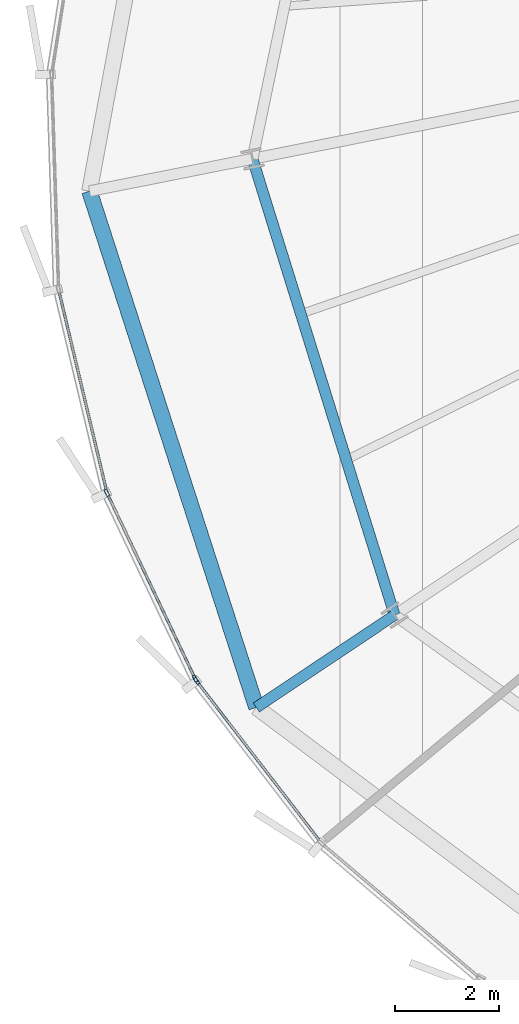
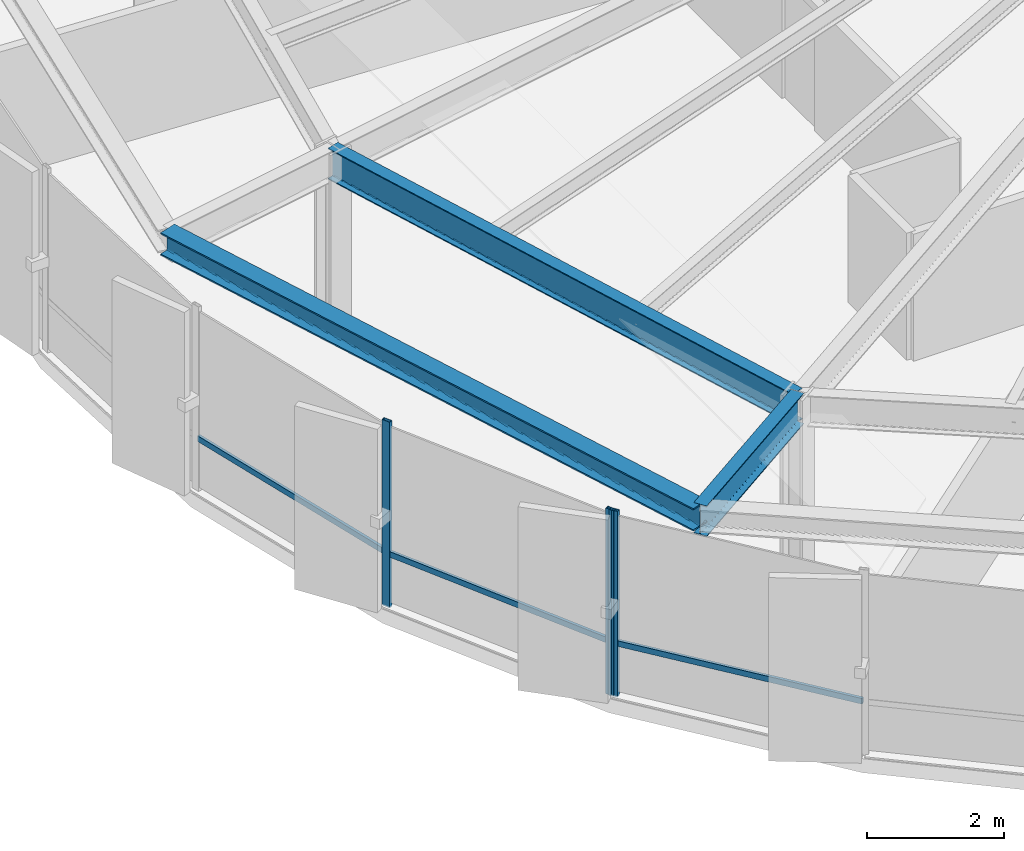
# One storey, part 3 of 32: 6 members, 3 beams, 2 elements without a shape of their own.
"""IFC4 building model written with IfcOpenShell, lengths in metres."""

from ifc_helpers import new_model, si_unit, direction, frame, origin, origin_2d, place, context, subcontext, project, spatial, hollow_rectangle, i_section, extrude, source, transform, mapped, material, layer, layer_set, material_profile, profile_set, type_object, element, aggregate, save


model = new_model("IFC4")

# Units and contexts
model_context = context("Model", 3, precision=1e-05, world=origin(), true_north=direction((0.0, 1.0)))
body_context = subcontext(model_context, "Body", "Model", "MODEL_VIEW")
ifc_project = project(units=[si_unit("LENGTHUNIT", "METRE"), si_unit("AREAUNIT", "SQUARE_METRE"), si_unit("VOLUMEUNIT", "CUBIC_METRE"), si_unit("PLANEANGLEUNIT", "RADIAN"), si_unit("MASSUNIT", "GRAM", prefix="KILO"), si_unit("THERMODYNAMICTEMPERATUREUNIT", "KELVIN")], contexts=[model_context])

# Site, building, storey
site_placement = place(None, origin())
site = spatial("IfcSite", under=ifc_project, at=site_placement, CompositionType="ELEMENT")
building_placement = place(site_placement, origin())
building = spatial("IfcBuilding", under=site, at=building_placement, Name="Kethvar Cultural Tower", CompositionType="ELEMENT")
storey_placement = place(building_placement, frame((0.0, 0.0, 160.75)))
storey = spatial("IfcBuildingStorey", under=building, at=storey_placement, Name="L41", CompositionType="ELEMENT", Elevation=160.75)

# Beams
ifc_material_1 = material(Name="Steel S355J2", Category="steel")
ifc_material_profile_1 = material_profile(ifc_material_1, i_section(OverallWidth=0.2099609375, OverallDepth=0.550048828125, WebThickness=0.010986328125, FlangeThickness=0.01708984375, FilletRadius=0.02392578125, at=origin_2d()), Name="Steel S355J2 — IPE550")
ifc_profile_set_1 = profile_set([ifc_material_profile_1], Name="Steel S355J2 — IPE550")
beam_type_1 = type_object("IfcBeamType", Name="BM-IPE550", PredefinedType="BEAM", material=ifc_profile_set_1)
shared_shape_1 = source(origin(), body_context, "Body", "SweptSolid", [
    extrude(i_section(OverallWidth=0.2099609375, OverallDepth=0.550048828125, WebThickness=0.010986328125, FlangeThickness=0.01708984375, FilletRadius=0.02392578125, at=origin_2d()), origin(), (0.0, 0.0, 1.0), 3.199951171875),
])
beam_1_placement = place(storey_placement, frame((26.920654296875, 14.51708984375, 3.02294921875), z_axis=(-0.831462943996, -0.555580212716, 0.0), x_axis=(0.555580212716, -0.831462943996, 0.0)))
element("IfcBeam", 1, at=beam_1_placement, inside=storey, type_object=beam_type_1, Name="L41 Perimeter Cantilever Beam RC-10", PredefinedType="BEAM", context=body_context, shape_type="MappedRepresentation", body=[
    mapped(shared_shape_1, transform((0.0, 0.0, 0.0), scale=1.0)),
])
shared_shape_2 = source(origin(), body_context, "Body", "SweptSolid", [
    extrude(i_section(OverallWidth=0.2099609375, OverallDepth=0.550048828125, WebThickness=0.010986328125, FlangeThickness=0.01708984375, FilletRadius=0.02392578125, at=origin_2d()), origin(), (0.0, 0.0, 1.0), 9.20068359375),
])
beam_2_placement = place(storey_placement, frame((24.185302734375, 23.3017578125, 3.02294921875), z_axis=(0.297298800285, -0.954784490526, 0.0), x_axis=(0.954784490526, 0.297298800285, 0.0)))
element("IfcBeam", 2, at=beam_2_placement, inside=storey, type_object=beam_type_1, Name="L41 Column Ring Tie Beam CR-09", PredefinedType="BEAM", context=body_context, shape_type="MappedRepresentation", body=[
    mapped(shared_shape_2, transform((0.0, 0.0, 0.0), scale=1.0)),
])
ifc_material_profile_2 = material_profile(ifc_material_1, i_section(OverallWidth=0.300048828125, OverallDepth=0.39990234375, WebThickness=0.013427734375, FlangeThickness=0.02392578125, FilletRadius=0.027099609375, at=origin_2d()), Name="Steel S355J2 — HEB400")
ifc_profile_set_2 = profile_set([ifc_material_profile_2], Name="Steel S355J2 — HEB400")
beam_type_2 = type_object("IfcBeamType", Name="BM-SP400", PredefinedType="SPANDREL", material=ifc_profile_set_2)
shared_shape_3 = source(origin(), body_context, "Body", "SweptSolid", [
    extrude(i_section(OverallWidth=0.300048828125, OverallDepth=0.39990234375, WebThickness=0.013427734375, FlangeThickness=0.02392578125, FilletRadius=0.027099609375, at=origin_2d()), origin(), (0.0, 0.0, 1.0), 10.44482421875),
])
beam_3_placement = place(storey_placement, frame((21.046875, 22.677490234375, 3.097900390625), z_axis=(0.307631709258, -0.951505507845, 0.0), x_axis=(0.951505507845, 0.307631709258, 0.0)))
element("IfcBeam", 3, at=beam_3_placement, inside=storey, type_object=beam_type_2, Name="L41 Perimeter Spandrel Beam SP-09", PredefinedType="SPANDREL", context=body_context, shape_type="MappedRepresentation", body=[
    mapped(shared_shape_3, transform((0.0, 0.0, 0.0), scale=1.0)),
])

# Curtain wall, members
ifc_material_2 = material(Name="Aluminium 6063-T6", Category="aluminium")
ifc_layer = layer(ifc_material_2, 0.179931640625, Name="Aluminium 6063-T6", Category="aluminium")
ifc_layer_set = layer_set([ifc_layer], Name="Aluminium 6063-T6 (180 mm)")
curtain_wall_type = type_object("IfcCurtainWallType", Name="CW-SYS-04-Z34", PredefinedType="NOTDEFINED", material=ifc_layer_set)
curtain_wall_1_placement = place(storey_placement, origin())
curtain_wall_1 = element("IfcCurtainWall", 4, at=curtain_wall_1_placement, inside=storey, type_object=curtain_wall_type, Name="L41 Curtain Wall Run 03", PredefinedType="NOTDEFINED")
ifc_material_profile_3 = material_profile(ifc_material_2, hollow_rectangle(XDim=0.06005859375, YDim=0.139892578125, WallThickness=0.0048828125, at=origin_2d()), Name="Aluminium 6063-T6 — RHS140x60x5")
ifc_profile_set_3 = profile_set([ifc_material_profile_3], Name="Aluminium 6063-T6 — RHS140x60x5")
member_type_1 = type_object("IfcMemberType", Name="CW-SYS-04-Z34-MUL", PredefinedType="MULLION", material=ifc_profile_set_3)
shared_shape_4 = source(origin(), body_context, "Body", "SweptSolid", [
    extrude(hollow_rectangle(XDim=0.06005859375, YDim=0.139892578125, WallThickness=0.0048828125, at=origin_2d()), origin(), (0.0, 0.0, 1.0), 3.300048828125),
])
member_1_placement = place(storey_placement, frame((21.3818359375, 16.870849609375, 0.0), z_axis=(0.0, 0.0, 1.0), x_axis=(0.903275393415, 0.429061258622, 0.0)))
member_1 = element("IfcMember", 5, at=member_1_placement, type_object=member_type_1, Name="CW-L41-R03 Mullion 6", PredefinedType="MULLION", context=body_context, shape_type="MappedRepresentation", body=[
    mapped(shared_shape_4, transform((0.0, 0.0, 0.0), scale=1.0)),
])
member_2_placement = place(storey_placement, frame((23.079833984375, 13.2958984375, 0.0), z_axis=(0.0, 0.0, 1.0), x_axis=(0.903275393415, 0.429061258622, 0.0)))
member_2 = element("IfcMember", 6, at=member_2_placement, type_object=member_type_1, Name="CW-L41-R03 Mullion 7", PredefinedType="MULLION", context=body_context, shape_type="MappedRepresentation", body=[
    mapped(shared_shape_4, transform((0.0, 0.0, 0.0), scale=1.0)),
])

# Curtain wall, member
curtain_wall_2_placement = place(storey_placement, origin())
curtain_wall_2 = element("IfcCurtainWall", 7, at=curtain_wall_2_placement, inside=storey, type_object=curtain_wall_type, Name="L41 Curtain Wall Run 04", PredefinedType="NOTDEFINED")
member_3_placement = place(storey_placement, frame((23.108154296875, 13.249755859375, 0.0), z_axis=(0.0, 0.0, 1.0), x_axis=(0.792385474959, 0.610020703808, 0.0)))
member_3 = element("IfcMember", 8, at=member_3_placement, type_object=member_type_1, Name="CW-L41-R04 Mullion 1", PredefinedType="MULLION", context=body_context, shape_type="MappedRepresentation", body=[
    mapped(shared_shape_4, transform((0.0, 0.0, 0.0), scale=1.0)),
])

# Member
ifc_material_profile_4 = material_profile(ifc_material_2, hollow_rectangle(XDim=0.050048828125, YDim=0.10009765625, WallThickness=0.00390625, at=origin_2d()), Name="Aluminium 6063-T6 — RHS100x50x4")
ifc_profile_set_4 = profile_set([ifc_material_profile_4], Name="Aluminium 6063-T6 — RHS100x50x4")
member_type_2 = type_object("IfcMemberType", Name="CW-SYS-04-Z34-TRN", PredefinedType="USERDEFINED", material=ifc_profile_set_4)
shared_shape_5 = source(origin(), body_context, "Body", "SweptSolid", [
    extrude(hollow_rectangle(XDim=0.050048828125, YDim=0.10009765625, WallThickness=0.00390625, at=origin_2d()), origin(), (0.0, 0.0, 1.0), 3.96728515625),
])
member_4_placement = place(storey_placement, frame((20.4599609375, 20.75048828125, 0.949951171875), z_axis=(0.231748088999, -0.972775834016, 0.0), x_axis=(0.972775834016, 0.231748088999, 0.0)))
member_4 = element("IfcMember", 9, at=member_4_placement, type_object=member_type_2, Name="CW-L41-R03 Transom 5", ObjectType="TRANSOM", PredefinedType="USERDEFINED", context=body_context, shape_type="MappedRepresentation", body=[
    mapped(shared_shape_5, transform((0.0, 0.0, 0.0), scale=1.0)),
])

shared_shape_6 = source(origin(), body_context, "Body", "SweptSolid", [
    extrude(hollow_rectangle(XDim=0.050048828125, YDim=0.10009765625, WallThickness=0.00390625, at=origin_2d()), origin(), (0.0, 0.0, 1.0), 3.91015625),
])
member_5_placement = place(storey_placement, frame((21.400390625, 16.831787109375, 0.949951171875), z_axis=(0.429014785143, -0.903297467133, 0.0), x_axis=(0.903297467133, 0.429014785143, 0.0)))
member_5 = element("IfcMember", 10, at=member_5_placement, type_object=member_type_2, Name="CW-L41-R03 Transom 6", ObjectType="TRANSOM", PredefinedType="USERDEFINED", context=body_context, shape_type="MappedRepresentation", body=[
    mapped(shared_shape_6, transform((0.0, 0.0, 0.0), scale=1.0)),
])

aggregate(curtain_wall_1, [member_1, member_2, member_4, member_5])

shared_shape_7 = source(origin(), body_context, "Body", "SweptSolid", [
    extrude(hollow_rectangle(XDim=0.050048828125, YDim=0.10009765625, WallThickness=0.00390625, at=origin_2d()), origin(), (0.0, 0.0, 1.0), 3.910400390625),
])
member_6_placement = place(storey_placement, frame((23.110595703125, 13.24658203125, 0.949951171875), z_axis=(0.610051659481, -0.792361642664, 0.0), x_axis=(0.792361642664, 0.610051659481, 0.0)))
member_6 = element("IfcMember", 11, at=member_6_placement, type_object=member_type_2, Name="CW-L41-R04 Transom 1", ObjectType="TRANSOM", PredefinedType="USERDEFINED", context=body_context, shape_type="MappedRepresentation", body=[
    mapped(shared_shape_7, transform((0.0, 0.0, 0.0), scale=1.0)),
])

aggregate(curtain_wall_2, [member_3, member_6])

save(model, "model.ifc")
